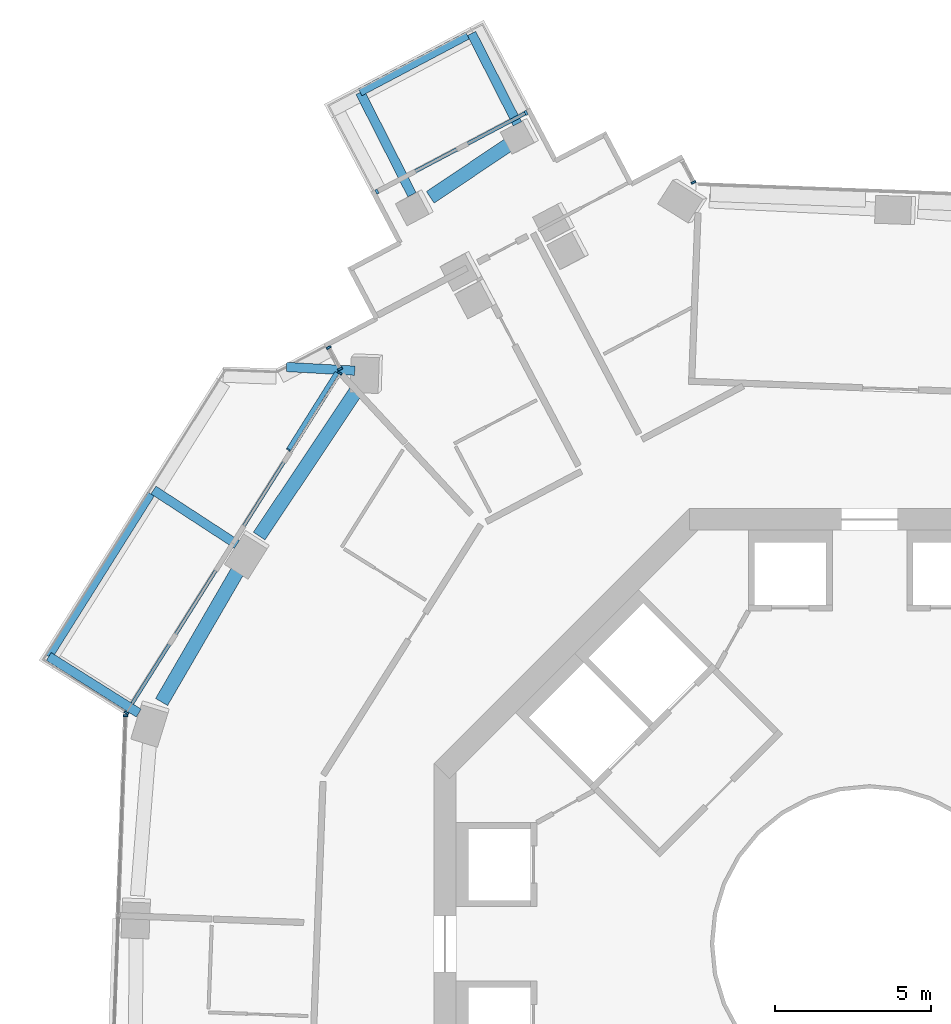
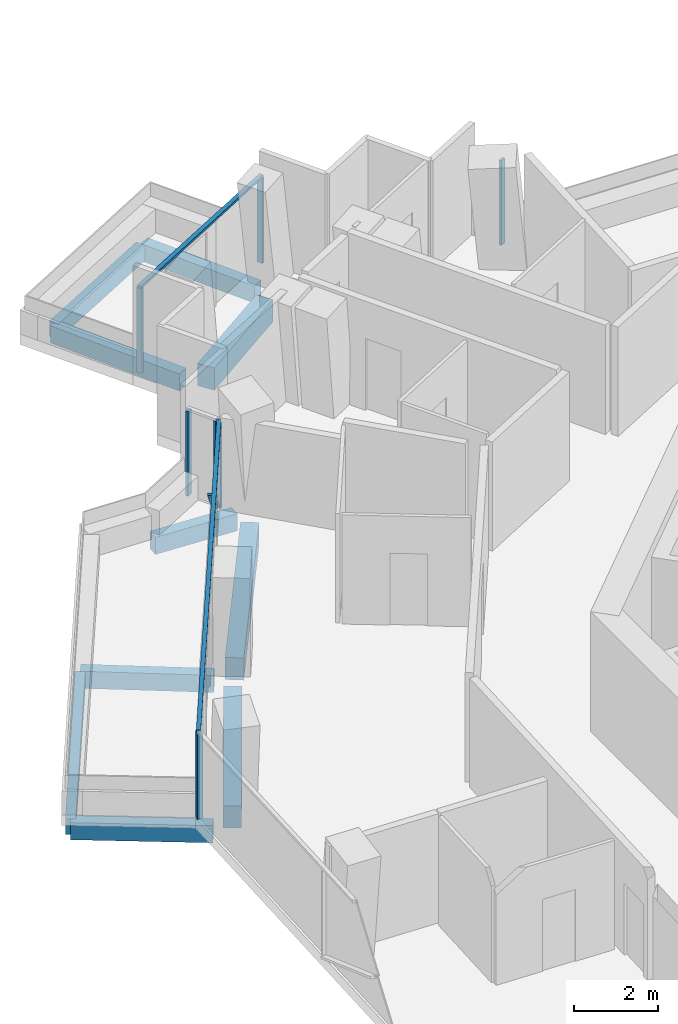
# One storey, part 7 of 23: 11 members, 10 beams, 5 elements without a shape of their own.
"""IFC4 building model written with IfcOpenShell, lengths in metres."""

from ifc_helpers import new_model, si_unit, direction, frame, origin, origin_2d, place, context, subcontext, project, spatial, rectangle, extrude, material, layer, layer_set, material_profile, profile_set, type_object, element, aggregate, save


model = new_model("IFC4")

# Units and contexts
model_context = context("Model", 3, precision=1e-05, world=origin(), true_north=direction((0.0, 1.0)))
body_context = subcontext(model_context, "Body", "Model", "MODEL_VIEW")
ifc_project = project(units=[si_unit("LENGTHUNIT", "METRE"), si_unit("AREAUNIT", "SQUARE_METRE"), si_unit("VOLUMEUNIT", "CUBIC_METRE"), si_unit("PLANEANGLEUNIT", "RADIAN"), si_unit("MASSUNIT", "GRAM", prefix="KILO")], contexts=[model_context])

# Site, building, storey
site_placement = place(None, origin())
site = spatial("IfcSite", under=ifc_project, at=site_placement, CompositionType="ELEMENT")
building_placement = place(site_placement, origin())
building = spatial("IfcBuilding", under=site, at=building_placement, Name="Verdalira Terraces Hotel", CompositionType="ELEMENT")
storey_placement = place(building_placement, frame((0.0, 0.0, 147.0)))
storey = spatial("IfcBuildingStorey", under=building, at=storey_placement, Name="L35", CompositionType="ELEMENT", Elevation=147.0)

# Beams
ifc_material_1 = material(Name="Concrete C40", Category="concrete")
ifc_material_profile_1 = material_profile(ifc_material_1, rectangle(XDim=0.300049, YDim=0.5, at=origin_2d()), Name="RC 300X500")
ifc_profile_set_1 = profile_set([ifc_material_profile_1], Name="Concrete C40")
beam_type_1 = type_object("IfcBeamType", Name="Balcony cantilever beam RC 300X500 C40", PredefinedType="BEAM", material=ifc_profile_set_1)
beam_1_placement = place(storey_placement, frame((-11.325928, 26.367188, -0.560059), z_axis=(-0.452158201, 0.891937756, 0.0), x_axis=(-0.891937756, -0.452158201, 0.0)))
element("IfcBeam", 1, at=beam_1_placement, inside=storey, type_object=beam_type_1, Name="Balcony cantilever beam R05-1", PredefinedType="BEAM", context=body_context, shape_type="SweptSolid", body=[
    extrude(rectangle(XDim=0.300049, YDim=0.5, at=origin_2d()), origin(), (0.0, 0.0, 1.0), 3.25415),
])
beam_2_placement = place(storey_placement, frame((-14.713867, 24.087158, -0.560059), z_axis=(-0.452157909, 0.891937904, 0.0), x_axis=(-0.891937904, -0.452157909, 0.0)))
element("IfcBeam", 2, at=beam_2_placement, inside=storey, type_object=beam_type_1, Name="Balcony cantilever beam R05-2", PredefinedType="BEAM", context=body_context, shape_type="SweptSolid", body=[
    extrude(rectangle(XDim=0.300049, YDim=0.5, at=origin_2d()), origin(), (0.0, 0.0, 1.0), 3.688477),
])
beam_3_placement = place(storey_placement, frame((-20.343994, 12.841797, -0.560059), z_axis=(-0.837524099, 0.546400387, 0.0), x_axis=(-0.546400387, -0.837524099, 0.0)))
element("IfcBeam", 3, at=beam_3_placement, inside=storey, type_object=beam_type_1, Name="Balcony cantilever beam R10-1", PredefinedType="BEAM", context=body_context, shape_type="SweptSolid", body=[
    extrude(rectangle(XDim=0.300049, YDim=0.5, at=origin_2d()), origin(), (0.0, 0.0, 1.0), 3.200928),
])
beam_4_placement = place(storey_placement, frame((-23.497559, 7.418945, -0.560059), z_axis=(-0.846570322, 0.532276892, 0.0), x_axis=(-0.532276892, -0.846570322, 0.0)))
element("IfcBeam", 4, at=beam_4_placement, inside=storey, type_object=beam_type_1, Name="Balcony cantilever beam R10-2", PredefinedType="BEAM", context=body_context, shape_type="SweptSolid", body=[
    extrude(rectangle(XDim=0.300049, YDim=0.5, at=origin_2d()), origin(), (0.0, 0.0, 1.0), 3.416992),
])
beam_5_placement = place(storey_placement, frame((-16.552002, 18.42749, -0.560059), z_axis=(-0.998518233, 0.054418189, 0.0), x_axis=(-0.054418189, -0.998518233, 0.0)))
element("IfcBeam", 5, at=beam_5_placement, inside=storey, type_object=beam_type_1, Name="Balcony cantilever beam R10-3", PredefinedType="BEAM", context=body_context, shape_type="SweptSolid", body=[
    extrude(rectangle(XDim=0.300049, YDim=0.5, at=origin_2d()), origin(), (0.0, 0.0, 1.0), 2.198242),
])
ifc_material_2 = material(Name="Concrete C40", Category="concrete")
ifc_material_profile_2 = material_profile(ifc_material_2, rectangle(XDim=0.25, YDim=0.449951, at=origin_2d()), Name="RC 250X450")
ifc_profile_set_2 = profile_set([ifc_material_profile_2], Name="Concrete C40")
beam_type_2 = type_object("IfcBeamType", Name="Balcony edge beam RC 250X450 C40", PredefinedType="BEAM", material=ifc_profile_set_2)
beam_6_placement = place(storey_placement, frame((-12.929932, 29.199707, -0.534912), z_axis=(-0.884274282, -0.466967873, 0.0), x_axis=(0.466967873, -0.884274282, 0.0)))
element("IfcBeam", 6, at=beam_6_placement, inside=storey, type_object=beam_type_2, Name="Balcony edge beam R05-1", PredefinedType="BEAM", context=body_context, shape_type="SweptSolid", body=[
    extrude(rectangle(XDim=0.25, YDim=0.449951, at=origin_2d()), origin(), (0.0, 0.0, 1.0), 3.90332),
])
beam_7_placement = place(storey_placement, frame((-23.104492, 14.463623, -0.534912), z_axis=(-0.532297084, -0.846557626, 0.0), x_axis=(0.846557626, -0.532297084, 0.0)))
element("IfcBeam", 7, at=beam_7_placement, inside=storey, type_object=beam_type_2, Name="Balcony edge beam R10-1", PredefinedType="BEAM", context=body_context, shape_type="SweptSolid", body=[
    extrude(rectangle(XDim=0.25, YDim=0.449951, at=origin_2d()), origin(), (0.0, 0.0, 1.0), 6.173096),
])

# Curtain wall, members
ifc_material_3 = material(Name="Clear glass", Category="glass")
ifc_layer_1 = layer(ifc_material_3, 0.14990234375)
ifc_layer_set_1 = layer_set([ifc_layer_1], Name="CW1 curtain wall")
curtain_wall_type_1 = type_object("IfcCurtainWallType", Name="CW1 curtain wall", PredefinedType="NOTDEFINED", material=ifc_layer_set_1)
curtain_wall_1_placement = place(storey_placement, origin())
curtain_wall_1 = element("IfcCurtainWall", 8, at=curtain_wall_1_placement, inside=storey, type_object=curtain_wall_type_1, Name="CW1 curtain wall L35 edge 11", PredefinedType="NOTDEFINED")
ifc_material_4 = material(Name="Terracotta frame", Category="masonry")
ifc_material_profile_3 = material_profile(ifc_material_4, rectangle(XDim=0.060059, YDim=0.149902, at=origin_2d()), Name="MU 60x150")
ifc_profile_set_3 = profile_set([ifc_material_profile_3], Name="Terracotta frame")
member_type_1 = type_object("IfcMemberType", Name="CW1 mullion 60x150", PredefinedType="MULLION", material=ifc_profile_set_3)
member_1_placement = place(storey_placement, frame((-17.028809, 18.349609, 0.0), z_axis=(0.0, 0.0, 1.0), x_axis=(-0.532285392, -0.846564978, 0.0)))
member_1 = element("IfcMember", 9, at=member_1_placement, type_object=member_type_1, Name="CW1 mullion", PredefinedType="MULLION", context=body_context, shape_type="SweptSolid", body=[
    extrude(rectangle(XDim=0.060059, YDim=0.149902, at=origin_2d()), origin(), (0.0, 0.0, 1.0), 2.475098),
])
member_2_placement = place(storey_placement, frame((-23.895264, 7.429199, 0.0), z_axis=(0.0, 0.0, 1.0), x_axis=(-0.532285392, -0.846564978, 0.0)))
member_2 = element("IfcMember", 10, at=member_2_placement, type_object=member_type_1, Name="CW1 mullion", PredefinedType="MULLION", context=body_context, shape_type="SweptSolid", body=[
    extrude(rectangle(XDim=0.060059, YDim=0.149902, at=origin_2d()), origin(), (0.0, 0.0, 1.0), 2.475098),
])

# Curtain wall, member
curtain_wall_2_placement = place(storey_placement, origin())
curtain_wall_2 = element("IfcCurtainWall", 11, at=curtain_wall_2_placement, inside=storey, type_object=curtain_wall_type_1, Name="CW1 curtain wall L35 edge 12", PredefinedType="NOTDEFINED")
member_3_placement = place(storey_placement, frame((-23.923828, 7.33667, 0.0), z_axis=(0.0, 0.0, 1.0), x_axis=(-0.037690183, -0.999289473, 0.0)))
member_3 = element("IfcMember", 12, at=member_3_placement, type_object=member_type_1, Name="CW1 mullion", PredefinedType="MULLION", context=body_context, shape_type="SweptSolid", body=[
    extrude(rectangle(XDim=0.060059, YDim=0.149902, at=origin_2d()), origin(), (0.0, 0.0, 1.0), 2.475098),
])
aggregate(curtain_wall_2, [member_3])

# Member
ifc_material_5 = material(Name="Terracotta frame", Category="masonry")
ifc_material_profile_4 = material_profile(ifc_material_5, rectangle(XDim=0.110107, YDim=0.064941, at=origin_2d()), Name="TR 65x110")
ifc_profile_set_4 = profile_set([ifc_material_profile_4], Name="Terracotta frame")
member_type_2 = type_object("IfcMemberType", Name="CW1 transom 65x110", PredefinedType="USERDEFINED", material=ifc_profile_set_4)
member_4_placement = place(storey_placement, frame((-17.012939, 18.375, 2.507568), z_axis=(-0.53228304, -0.846566457, 0.0), x_axis=(0.846566457, -0.53228304, 0.0)))
member_4 = element("IfcMember", 13, at=member_4_placement, type_object=member_type_2, Name="CW1 transom", ObjectType="TRANSOM", PredefinedType="USERDEFINED", context=body_context, shape_type="SweptSolid", body=[
    extrude(rectangle(XDim=0.110107, YDim=0.064941, at=origin_2d()), origin(), (0.0, 0.0, 1.0), 12.959717),
])

# Curtain wall, member
ifc_material_6 = material(Name="Clear glass", Category="glass")
ifc_layer_2 = layer(ifc_material_6, 0.14990234375)
ifc_layer_set_2 = layer_set([ifc_layer_2], Name="CW2 curtain wall")
curtain_wall_type_2 = type_object("IfcCurtainWallType", Name="CW2 curtain wall", PredefinedType="NOTDEFINED", material=ifc_layer_set_2)
curtain_wall_3_placement = place(storey_placement, origin())
curtain_wall_3 = element("IfcCurtainWall", 14, at=curtain_wall_3_placement, inside=storey, type_object=curtain_wall_type_2, Name="CW2 curtain wall L35 edge 0", PredefinedType="NOTDEFINED")
ifc_material_7 = material(Name="Terracotta frame", Category="masonry")
ifc_material_profile_5 = material_profile(ifc_material_7, rectangle(XDim=0.070068, YDim=0.149902, at=origin_2d()), Name="MU 70x150")
ifc_profile_set_5 = profile_set([ifc_material_profile_5], Name="Terracotta frame")
member_type_3 = type_object("IfcMemberType", Name="CW2 mullion 70x150", PredefinedType="MULLION", material=ifc_profile_set_5)
member_5_placement = place(storey_placement, frame((-5.663818, 24.481934, 0.0), z_axis=(0.0, 0.0, 1.0), x_axis=(-0.467004081, 0.88425516, 0.0)))
member_5 = element("IfcMember", 15, at=member_5_placement, type_object=member_type_3, Name="CW2 mullion", PredefinedType="MULLION", context=body_context, shape_type="SweptSolid", body=[
    extrude(rectangle(XDim=0.070068, YDim=0.149902, at=origin_2d()), origin(), (0.0, 0.0, 1.0), 2.475098),
])
aggregate(curtain_wall_3, [member_5])

# Curtain wall, members
curtain_wall_4_placement = place(storey_placement, origin())
curtain_wall_4 = element("IfcCurtainWall", 16, at=curtain_wall_4_placement, inside=storey, type_object=curtain_wall_type_2, Name="CW2 curtain wall L35 edge 10", PredefinedType="NOTDEFINED")
member_6_placement = place(storey_placement, frame((-17.390625, 19.170654, 0.0), z_axis=(0.0, 0.0, 1.0), x_axis=(0.467004081, -0.88425516, 0.0)))
member_6 = element("IfcMember", 17, at=member_6_placement, type_object=member_type_3, Name="CW2 mullion", PredefinedType="MULLION", context=body_context, shape_type="SweptSolid", body=[
    extrude(rectangle(XDim=0.070068, YDim=0.149902, at=origin_2d()), origin(), (0.0, 0.0, 1.0), 2.475098),
])
member_7_placement = place(storey_placement, frame((-17.026367, 18.480957, 0.0), z_axis=(0.0, 0.0, 1.0), x_axis=(0.467004081, -0.88425516, 0.0)))
member_7 = element("IfcMember", 18, at=member_7_placement, type_object=member_type_3, Name="CW2 mullion", PredefinedType="MULLION", context=body_context, shape_type="SweptSolid", body=[
    extrude(rectangle(XDim=0.070068, YDim=0.149902, at=origin_2d()), origin(), (0.0, 0.0, 1.0), 2.475098),
])
aggregate(curtain_wall_4, [member_6, member_7])

ifc_material_8 = material(Name="Clear glass", Category="glass")
ifc_layer_3 = layer(ifc_material_8, 0.14990234375)
ifc_layer_set_3 = layer_set([ifc_layer_3], Name="CW3 curtain wall")
curtain_wall_type_3 = type_object("IfcCurtainWallType", Name="CW3 curtain wall", PredefinedType="NOTDEFINED", material=ifc_layer_set_3)
curtain_wall_5_placement = place(storey_placement, origin())
curtain_wall_5 = element("IfcCurtainWall", 19, at=curtain_wall_5_placement, inside=storey, type_object=curtain_wall_type_3, Name="CW3 curtain wall L35 edge 5", PredefinedType="NOTDEFINED")
ifc_material_9 = material(Name="Terracotta frame", Category="masonry")
ifc_material_profile_6 = material_profile(ifc_material_9, rectangle(XDim=0.080078, YDim=0.149902, at=origin_2d()), Name="MU 80x150")
ifc_profile_set_6 = profile_set([ifc_material_profile_6], Name="Terracotta frame")
member_type_4 = type_object("IfcMemberType", Name="CW3 mullion 80x150", PredefinedType="MULLION", material=ifc_profile_set_6)
member_8_placement = place(storey_placement, frame((-11.045654, 26.717285, 0.0), z_axis=(0.0, 0.0, 1.0), x_axis=(-0.88425516, -0.467004081, 0.0)))
member_8 = element("IfcMember", 20, at=member_8_placement, type_object=member_type_4, Name="CW3 mullion", PredefinedType="MULLION", context=body_context, shape_type="SweptSolid", body=[
    extrude(rectangle(XDim=0.080078, YDim=0.149902, at=origin_2d()), origin(), (0.0, 0.0, 1.0), 2.475098),
])
member_9_placement = place(storey_placement, frame((-15.838379, 24.186279, 0.0), z_axis=(0.0, 0.0, 1.0), x_axis=(-0.88425516, -0.467004081, 0.0)))
member_9 = element("IfcMember", 21, at=member_9_placement, type_object=member_type_4, Name="CW3 mullion", PredefinedType="MULLION", context=body_context, shape_type="SweptSolid", body=[
    extrude(rectangle(XDim=0.080078, YDim=0.149902, at=origin_2d()), origin(), (0.0, 0.0, 1.0), 2.475098),
])
ifc_material_10 = material(Name="Terracotta frame", Category="masonry")
ifc_material_profile_7 = material_profile(ifc_material_10, rectangle(XDim=0.120117, YDim=0.064941, at=origin_2d()), Name="TR 65x120")
ifc_profile_set_7 = profile_set([ifc_material_profile_7], Name="Terracotta frame")
member_type_5 = type_object("IfcMemberType", Name="CW3 transom 65x120", PredefinedType="USERDEFINED", material=ifc_profile_set_7)
member_10_placement = place(storey_placement, frame((-11.010254, 26.736084, 2.507568), z_axis=(-0.88424423, -0.467024776, 0.0), x_axis=(0.467024776, -0.88424423, 0.0)))
member_10 = element("IfcMember", 22, at=member_10_placement, type_object=member_type_5, Name="CW3 transom", ObjectType="TRANSOM", PredefinedType="USERDEFINED", context=body_context, shape_type="SweptSolid", body=[
    extrude(rectangle(XDim=0.120117, YDim=0.064941, at=origin_2d()), origin(), (0.0, 0.0, 1.0), 5.5),
])
aggregate(curtain_wall_5, [member_8, member_9, member_10])

# Member
ifc_material_11 = material(Name="Terracotta frame", Category="masonry")
ifc_material_profile_8 = material_profile(ifc_material_11, rectangle(XDim=0.149902, YDim=0.060059, at=origin_2d()), Name="GB 60x150")
ifc_profile_set_8 = profile_set([ifc_material_profile_8], Name="Terracotta frame")
member_type_6 = type_object("IfcMemberType", Name="Diagonal glazing bar 60x150", PredefinedType="USERDEFINED", material=ifc_profile_set_8)
member_11_placement = place(storey_placement, frame((-17.135742, 18.346924, 0.024414), z_axis=(-0.408619658, -0.649909663, 0.640817763), x_axis=(0.846574912, -0.532269592, 0.0)))
member_11 = element("IfcMember", 23, at=member_11_placement, type_object=member_type_6, Name="Diagonal glazing bar", ObjectType="GLAZING BAR", PredefinedType="USERDEFINED", context=body_context, shape_type="SweptSolid", body=[
    extrude(rectangle(XDim=0.149902, YDim=0.060059, at=origin_2d()), origin(), (0.0, 0.0, 1.0), 3.786133),
])

aggregate(curtain_wall_1, [member_1, member_2, member_4, member_11])

# Beams
ifc_material_12 = material(Name="Concrete C50", Category="concrete")
ifc_material_profile_9 = material_profile(ifc_material_12, rectangle(XDim=0.449951, YDim=0.649902, at=origin_2d()), Name="RC 450X650")
ifc_profile_set_9 = profile_set([ifc_material_profile_9], Name="Concrete C50")
beam_type_3 = type_object("IfcBeamType", Name="Spandrel beam RC 450X650 C50", PredefinedType="SPANDREL", material=ifc_profile_set_9)
beam_8_placement = place(storey_placement, frame((-11.474609, 25.779297, -0.63501), z_axis=(-0.830494048, -0.5570275, 0.0), x_axis=(0.5570275, -0.830494048, 0.0)))
element("IfcBeam", 24, at=beam_8_placement, inside=storey, type_object=beam_type_3, Name="Spandrel beam B01", PredefinedType="SPANDREL", context=body_context, shape_type="SweptSolid", body=[
    extrude(rectangle(XDim=0.449951, YDim=0.649902, at=origin_2d()), origin(), (0.0, 0.0, 1.0), 3.192627),
])
beam_9_placement = place(storey_placement, frame((-16.476074, 17.825684, -0.63501), z_axis=(-0.555266305, -0.831672611, 0.0), x_axis=(0.831672611, -0.555266305, 0.0)))
element("IfcBeam", 25, at=beam_9_placement, inside=storey, type_object=beam_type_3, Name="Spandrel beam B02", PredefinedType="SPANDREL", context=body_context, shape_type="SweptSolid", body=[
    extrude(rectangle(XDim=0.449951, YDim=0.649902, at=origin_2d()), origin(), (0.0, 0.0, 1.0), 5.671387),
])
beam_10_placement = place(storey_placement, frame((-20.247314, 12.110107, -0.63501), z_axis=(-0.502086164, -0.864817602, 0.0), x_axis=(0.864817602, -0.502086164, 0.0)))
element("IfcBeam", 26, at=beam_10_placement, inside=storey, type_object=beam_type_3, Name="Spandrel beam B03", PredefinedType="SPANDREL", context=body_context, shape_type="SweptSolid", body=[
    extrude(rectangle(XDim=0.449951, YDim=0.649902, at=origin_2d()), origin(), (0.0, 0.0, 1.0), 5.012207),
])

save(model, "model.ifc")
